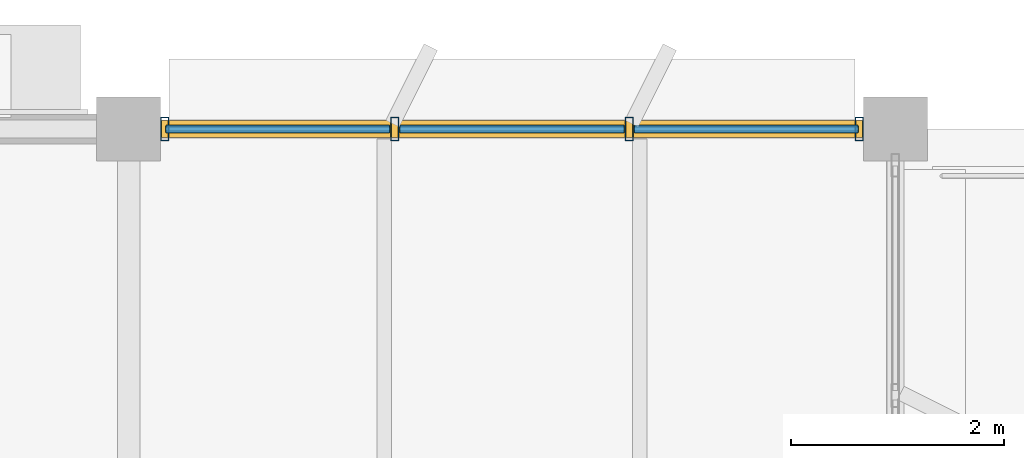
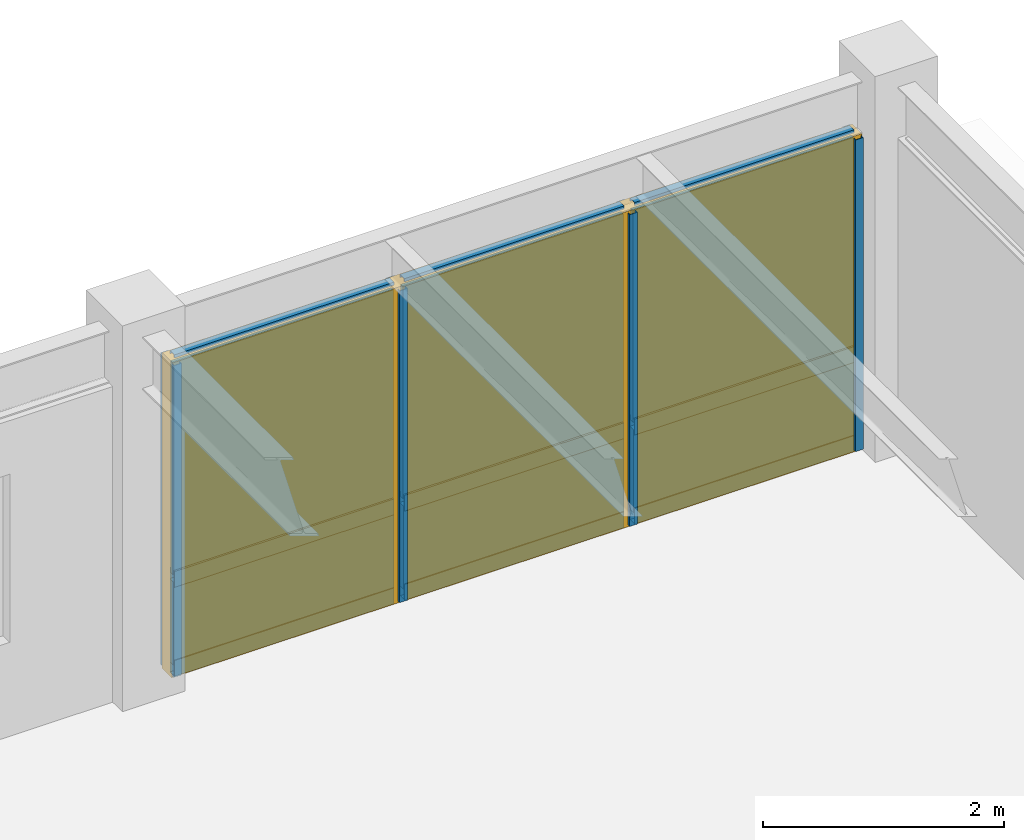
# One storey, part 30 of 35: 13 members, 6 plates, 1 curtain wall.
"""IFC4 building model written with IfcOpenShell, lengths in metres."""

import ifcopenshell
import ifcopenshell.guid

model = None  # the IFC model being written
_history = None  # IfcOwnerHistory: only IFC2X3 demands one
_inside = {}  # id of a spatial element -> (the spatial element, [elements in it])
_under = {}  # id of a project, library or spatial element -> (it, [spatial elements below it])
_declared = {}  # id of a project -> (the project, [libraries it declares])
_typed = {}  # id of a type object -> (the type object, [elements of that type])
_made_of = {}  # id of a material, layer set ... -> (it, [elements and type objects made of it])


def new_model(schema):
    """Start an empty IFC model of exactly this schema.

    Asked for "IFC4X3", IfcOpenShell would pick the latest addendum, in which some entities
    have other attributes; the version numbers below select the first issue.
    IFC2X3 requires an IfcOwnerHistory on every rooted entity: one is made here for all.
    """
    global model, _history
    if schema == "IFC4X3":
        model = ifcopenshell.file(schema_version=(4, 3, 0, 0))
    else:
        model = ifcopenshell.file(schema=schema)
    _inside.clear()
    _under.clear()
    _declared.clear()
    _typed.clear()
    _made_of.clear()
    _history = None
    if model.schema == "IFC2X3":
        org = make("IfcOrganization", Name="unknown")
        user = make(
            "IfcPersonAndOrganization",
            ThePerson=make("IfcPerson", FamilyName="unknown"),
            TheOrganization=org,
        )
        app = make(
            "IfcApplication",
            ApplicationDeveloper=org,
            Version="unknown",
            ApplicationFullName="unknown",
            ApplicationIdentifier="unknown",
        )
        _history = make(
            "IfcOwnerHistory",
            OwningUser=user,
            OwningApplication=app,
            ChangeAction="ADDED",
            CreationDate=0,
        )
    return model


def make(cls, **values):
    """One entity of the class cls with the attributes given. An attribute that is None is left unset."""
    return model.create_entity(
        cls, **{name: value for name, value in values.items() if value is not None}
    )


def rooted(cls, **values):
    """An entity with a GlobalId (a new one), such as an element, a storey or a relation."""
    return make(cls, GlobalId=ifcopenshell.guid.new(), OwnerHistory=_history, **values)


def si_unit(unit_type, name, prefix=None):
    """IfcSIUnit, for example si_unit("LENGTHUNIT", "METRE", prefix="MILLI")."""
    return make("IfcSIUnit", UnitType=unit_type, Prefix=prefix, Name=name)


def assignment(units):
    """IfcUnitAssignment: the units of a project."""
    return None if units is None else make("IfcUnitAssignment", Units=units)


def point(xyz):
    """IfcCartesianPoint."""
    return None if xyz is None else make("IfcCartesianPoint", Coordinates=xyz)


def direction(xyz):
    """IfcDirection."""
    return None if xyz is None else make("IfcDirection", DirectionRatios=xyz)


def frame(location, z_axis=None, x_axis=None):
    """IfcAxis2Placement3D, a coordinate frame: its origin and axes. An axis left out is left unset."""
    return make(
        "IfcAxis2Placement3D",
        Location=point(location),
        Axis=direction(z_axis),
        RefDirection=direction(x_axis),
    )


def frame_2d(location, x_axis=None):
    """IfcAxis2Placement2D, a coordinate frame in the plane: its origin and x axis."""
    return make(
        "IfcAxis2Placement2D", Location=point(location), RefDirection=direction(x_axis)
    )


def origin():
    """The frame at (0, 0, 0) with its axes left unset."""
    return frame((0.0, 0.0, 0.0))


def origin_2d():
    """The frame at (0, 0) in the plane with its x axis left unset."""
    return frame_2d((0.0, 0.0))


def place(relative_to, where):
    """IfcLocalPlacement: puts the frame where relative to a parent placement (None: the world)."""
    return make(
        "IfcLocalPlacement", PlacementRelTo=relative_to, RelativePlacement=where
    )


def context(
    kind, dimensions, precision=None, world=None, true_north=None, identifier=None
):
    """IfcGeometricRepresentationContext, for example the 3D "Model" context."""
    return make(
        "IfcGeometricRepresentationContext",
        ContextIdentifier=identifier,
        ContextType=kind,
        CoordinateSpaceDimension=dimensions,
        Precision=precision,
        WorldCoordinateSystem=world,
        TrueNorth=true_north,
    )


def subcontext(parent, identifier, kind, view, scale=None):
    """IfcGeometricRepresentationSubContext, for example "Body" below "Model"."""
    return make(
        "IfcGeometricRepresentationSubContext",
        ContextIdentifier=identifier,
        ContextType=kind,
        ParentContext=parent,
        TargetScale=scale,
        TargetView=view,
    )


def project(units=None, contexts=None):
    """IfcProject with its units and contexts."""
    return rooted(
        "IfcProject",
        Name="project",
        RepresentationContexts=contexts,
        UnitsInContext=assignment(units),
    )


def spatial(cls, under=None, at=None, **own):
    """A site, building, storey or space (cls), placed at a placement, below another one or the project."""
    s = rooted(cls, ObjectPlacement=at, **own)
    if under is not None:
        _under.setdefault(under.id(), (under, []))[1].append(s)
    return s


def profile(cls, at=None, kind="AREA", **sizes):
    """A parametric profile (cls). Its sizes go by their IFC names, for example OverallWidth=200.0."""
    return make(cls, ProfileType=kind, Position=at, **sizes)


def rectangle(**sizes):
    """IfcRectangleProfileDef."""
    return profile("IfcRectangleProfileDef", **sizes)


def hollow_rectangle(**sizes):
    """IfcRectangleHollowProfileDef."""
    return profile("IfcRectangleHollowProfileDef", **sizes)


def extrude(swept, where, along, depth):
    """IfcExtrudedAreaSolid: the profile swept, set in the frame where, extruded along a direction by depth."""
    return make(
        "IfcExtrudedAreaSolid",
        SweptArea=swept,
        Position=where,
        ExtrudedDirection=direction(along),
        Depth=depth,
    )


def shape(context_of_items, identifier, shape_type, items):
    """IfcShapeRepresentation: the items that make up one representation, for example the "Body"."""
    return make(
        "IfcShapeRepresentation",
        ContextOfItems=context_of_items,
        RepresentationIdentifier=identifier,
        RepresentationType=shape_type,
        Items=items,
    )


def material(Name=None, Category=None):
    """IfcMaterial."""
    return make("IfcMaterial", Name=Name, Category=Category)


def layer(
    of_material, thickness, ventilated=None, Name=None, Category=None, Priority=None
):
    """IfcMaterialLayer: one layer of a wall or slab, of a material (None: an air gap)."""
    return make(
        "IfcMaterialLayer",
        Material=of_material,
        LayerThickness=thickness,
        IsVentilated=ventilated,
        Name=Name,
        Category=Category,
        Priority=Priority,
    )


def layer_set(layers, Name=None):
    """IfcMaterialLayerSet."""
    return make("IfcMaterialLayerSet", MaterialLayers=layers, LayerSetName=Name)


def material_profile(
    of_material, cross_section, Name=None, Category=None, Priority=None
):
    """IfcMaterialProfile: a cross section and its material."""
    return make(
        "IfcMaterialProfile",
        Name=Name,
        Material=of_material,
        Profile=cross_section,
        Priority=Priority,
        Category=Category,
    )


def profile_set(profiles, Name=None, composite=None):
    """IfcMaterialProfileSet."""
    return make(
        "IfcMaterialProfileSet",
        Name=Name,
        MaterialProfiles=profiles,
        CompositeProfile=composite,
    )


def made_of(thing, what):
    """Note that an element or type object is made of a material, layer set ...; save() writes the relation."""
    if what is not None:
        _made_of.setdefault(what.id(), (what, []))[1].append(thing)
    return thing


def type_object(cls, material=None, **own):
    """A type object (cls), such as IfcWallType, which elements share."""
    return made_of(rooted(cls, **own), material)


def element(
    cls,
    number,
    at=None,
    inside=None,
    cuts=None,
    type_object=None,
    material=None,
    context=None,
    identifier="Body",
    shape_type=None,
    held_by="IfcProductDefinitionShape",
    body=None,
    shapes=None,
    **own,
):
    """One element of the class cls, such as IfcWall. Its Tag is "e" and its number.

    at: its placement. inside: the storey or other place that contains it. cuts: it is an
    opening in that element (IfcRelVoidsElement). A single representation is given by context,
    identifier, shape_type and body (its items); several are given by shapes. held_by: the class
    of the entity that holds the representations. save() writes the other relations.
    """
    e = rooted(cls, Tag="e%d" % number, ObjectPlacement=at, **own)
    if body is not None:
        shapes = [shape(context, identifier, shape_type, body)]
    if shapes is not None:
        e.Representation = make(held_by, Representations=shapes)
    if inside is not None:
        _inside.setdefault(inside.id(), (inside, []))[1].append(e)
    if cuts is not None:
        rooted(
            "IfcRelVoidsElement", RelatingBuildingElement=cuts, RelatedOpeningElement=e
        )
    if type_object is not None:
        _typed.setdefault(type_object.id(), (type_object, []))[1].append(e)
    return made_of(e, material)


def aggregate(whole, parts):
    """IfcRelAggregates: a whole, such as a stair, and the parts it consists of."""
    return rooted("IfcRelAggregates", RelatingObject=whole, RelatedObjects=parts)


def save(model, path):
    """Write the relations noted so far, then the file.

    IfcRelAggregates (storeys below a building ...), IfcRelContainedInSpatialStructure (elements
    in a storey), IfcRelDefinesByType, IfcRelAssociatesMaterial and IfcRelDeclares: one each for
    every whole, place, type object, material and project.
    """
    for whole, parts in _under.values():
        aggregate(whole, parts)
    for where, things in _inside.values():
        rooted(
            "IfcRelContainedInSpatialStructure",
            RelatedElements=things,
            RelatingStructure=where,
        )
    for kind, things in _typed.values():
        rooted("IfcRelDefinesByType", RelatedObjects=things, RelatingType=kind)
    for what, things in _made_of.values():
        rooted("IfcRelAssociatesMaterial", RelatedObjects=things, RelatingMaterial=what)
    for by, libraries in _declared.values():
        rooted("IfcRelDeclares", RelatingContext=by, RelatedDefinitions=libraries)
    model.write(path)


model = new_model("IFC4")

# Units and contexts
model_context = context("Model", 3, precision=1e-05, world=origin(), true_north=direction((0.0, 1.0)))
body_context = subcontext(model_context, "Body", "Model", "MODEL_VIEW")
ifc_project = project(units=[si_unit("LENGTHUNIT", "METRE"), si_unit("AREAUNIT", "SQUARE_METRE"), si_unit("VOLUMEUNIT", "CUBIC_METRE"), si_unit("PLANEANGLEUNIT", "RADIAN"), si_unit("MASSUNIT", "GRAM", prefix="KILO")], contexts=[model_context])

# Member
ifc_material_1 = material(Name="Anodized Aluminium 6063-T6", Category="aluminium")
ifc_material_profile_1 = material_profile(ifc_material_1, hollow_rectangle(XDim=0.074951171875, YDim=0.219970703125, WallThickness=0.0048828125, at=origin_2d()), Name="ALU 75x220x5")
ifc_profile_set_1 = profile_set([ifc_material_profile_1], Name="Anodized Aluminium 6063-T6")
member_type_1 = type_object("IfcMemberType", Name="CWM-75X180", PredefinedType="MULLION", material=ifc_profile_set_1)
site_placement = place(None, origin())
building_placement = place(site_placement, origin())
storey_placement = place(building_placement, frame((0.0, 0.0, 18.0)))
member_1_placement = place(storey_placement, frame((93.93994140625, 115.199951171875, 0.02001953125), z_axis=(0.0, 0.0, 1.0), x_axis=(1.0, 0.0, 0.0)))
member_1 = element("IfcMember", 1, at=member_1_placement, type_object=member_type_1, Name="Curtain wall mullion CW-L05-13-15-N-00", PredefinedType="MULLION", context=body_context, shape_type="SweptSolid", body=[
    extrude(hollow_rectangle(XDim=0.074951171875, YDim=0.219970703125, WallThickness=0.0048828125, at=origin_2d()), origin(), (0.0, 0.0, 1.0), 3.152099609375),
])

member_2_placement = place(storey_placement, frame((96.10009765625, 115.199951171875, 0.02001953125), z_axis=(0.0, 0.0, 1.0), x_axis=(1.0, 0.0, 0.0)))
member_2 = element("IfcMember", 2, at=member_2_placement, type_object=member_type_1, Name="Curtain wall mullion CW-L05-13-15-N-01", PredefinedType="MULLION", context=body_context, shape_type="SweptSolid", body=[
    extrude(hollow_rectangle(XDim=0.074951171875, YDim=0.219970703125, WallThickness=0.0048828125, at=origin_2d()), origin(), (0.0, 0.0, 1.0), 3.152099609375),
])

member_3_placement = place(storey_placement, frame((98.300048828125, 115.199951171875, 0.02001953125), z_axis=(0.0, 0.0, 1.0), x_axis=(1.0, 0.0, 0.0)))
member_3 = element("IfcMember", 3, at=member_3_placement, type_object=member_type_1, Name="Curtain wall mullion CW-L05-13-15-N-02", PredefinedType="MULLION", context=body_context, shape_type="SweptSolid", body=[
    extrude(hollow_rectangle(XDim=0.074951171875, YDim=0.219970703125, WallThickness=0.0048828125, at=origin_2d()), origin(), (0.0, 0.0, 1.0), 3.152099609375),
])

member_4_placement = place(storey_placement, frame((100.4599609375, 115.199951171875, 0.02001953125), z_axis=(0.0, 0.0, 1.0), x_axis=(1.0, 0.0, 0.0)))
member_4 = element("IfcMember", 4, at=member_4_placement, type_object=member_type_1, Name="Curtain wall mullion CW-L05-13-15-N-03", PredefinedType="MULLION", context=body_context, shape_type="SweptSolid", body=[
    extrude(hollow_rectangle(XDim=0.074951171875, YDim=0.219970703125, WallThickness=0.0048828125, at=origin_2d()), origin(), (0.0, 0.0, 1.0), 3.152099609375),
])

ifc_material_profile_2 = material_profile(ifc_material_1, hollow_rectangle(XDim=0.074951171875, YDim=0.159912109375, WallThickness=0.00390625, at=origin_2d()), Name="ALU 75x160x4")
ifc_profile_set_2 = profile_set([ifc_material_profile_2], Name="Anodized Aluminium 6063-T6")
member_type_2 = type_object("IfcMemberType", Name="CWT-75X150", PredefinedType="USERDEFINED", material=ifc_profile_set_2)
member_5_placement = place(storey_placement, frame((93.949951171875, 115.199951171875, 0.050048828125), z_axis=(1.0, 0.0, 0.0), x_axis=(0.0, 1.0, 0.0)))
member_5 = element("IfcMember", 5, at=member_5_placement, type_object=member_type_2, Name="Curtain wall transom CW-L05-13-15-N-1.01", ObjectType="TRANSOM", PredefinedType="USERDEFINED", context=body_context, shape_type="SweptSolid", body=[
    extrude(hollow_rectangle(XDim=0.074951171875, YDim=0.159912109375, WallThickness=0.00390625, at=origin_2d()), origin(), (0.0, 0.0, 1.0), 2.10009765625),
])

member_6_placement = place(storey_placement, frame((96.14990234375, 115.199951171875, 0.050048828125), z_axis=(1.0, 0.0, 0.0), x_axis=(0.0, 1.0, 0.0)))
member_6 = element("IfcMember", 6, at=member_6_placement, type_object=member_type_2, Name="Curtain wall transom CW-L05-13-15-N-1.02", ObjectType="TRANSOM", PredefinedType="USERDEFINED", context=body_context, shape_type="SweptSolid", body=[
    extrude(hollow_rectangle(XDim=0.074951171875, YDim=0.159912109375, WallThickness=0.00390625, at=origin_2d()), origin(), (0.0, 0.0, 1.0), 2.10009765625),
])

member_7_placement = place(storey_placement, frame((98.35009765625, 115.199951171875, 0.050048828125), z_axis=(1.0, 0.0, 0.0), x_axis=(0.0, 1.0, 0.0)))
member_7 = element("IfcMember", 7, at=member_7_placement, type_object=member_type_2, Name="Curtain wall transom CW-L05-13-15-N-1.03", ObjectType="TRANSOM", PredefinedType="USERDEFINED", context=body_context, shape_type="SweptSolid", body=[
    extrude(hollow_rectangle(XDim=0.074951171875, YDim=0.159912109375, WallThickness=0.00390625, at=origin_2d()), origin(), (0.0, 0.0, 1.0), 2.099853515625),
])

member_8_placement = place(storey_placement, frame((93.949951171875, 115.199951171875, 0.949951171875), z_axis=(1.0, 0.0, 0.0), x_axis=(0.0, 1.0, 0.0)))
member_8 = element("IfcMember", 8, at=member_8_placement, type_object=member_type_2, Name="Curtain wall transom CW-L05-13-15-N-2.01", ObjectType="TRANSOM", PredefinedType="USERDEFINED", context=body_context, shape_type="SweptSolid", body=[
    extrude(hollow_rectangle(XDim=0.074951171875, YDim=0.159912109375, WallThickness=0.00390625, at=origin_2d()), origin(), (0.0, 0.0, 1.0), 2.10009765625),
])

member_9_placement = place(storey_placement, frame((96.14990234375, 115.199951171875, 0.949951171875), z_axis=(1.0, 0.0, 0.0), x_axis=(0.0, 1.0, 0.0)))
member_9 = element("IfcMember", 9, at=member_9_placement, type_object=member_type_2, Name="Curtain wall transom CW-L05-13-15-N-2.02", ObjectType="TRANSOM", PredefinedType="USERDEFINED", context=body_context, shape_type="SweptSolid", body=[
    extrude(hollow_rectangle(XDim=0.074951171875, YDim=0.159912109375, WallThickness=0.00390625, at=origin_2d()), origin(), (0.0, 0.0, 1.0), 2.10009765625),
])

member_10_placement = place(storey_placement, frame((98.35009765625, 115.199951171875, 0.949951171875), z_axis=(1.0, 0.0, 0.0), x_axis=(0.0, 1.0, 0.0)))
member_10 = element("IfcMember", 10, at=member_10_placement, type_object=member_type_2, Name="Curtain wall transom CW-L05-13-15-N-2.03", ObjectType="TRANSOM", PredefinedType="USERDEFINED", context=body_context, shape_type="SweptSolid", body=[
    extrude(hollow_rectangle(XDim=0.074951171875, YDim=0.159912109375, WallThickness=0.00390625, at=origin_2d()), origin(), (0.0, 0.0, 1.0), 2.099853515625),
])

member_11_placement = place(storey_placement, frame((93.949951171875, 115.199951171875, 3.14208984375), z_axis=(1.0, 0.0, 0.0), x_axis=(0.0, 1.0, 0.0)))
member_11 = element("IfcMember", 11, at=member_11_placement, type_object=member_type_2, Name="Curtain wall transom CW-L05-13-15-N-3.01", ObjectType="TRANSOM", PredefinedType="USERDEFINED", context=body_context, shape_type="SweptSolid", body=[
    extrude(hollow_rectangle(XDim=0.074951171875, YDim=0.159912109375, WallThickness=0.00390625, at=origin_2d()), origin(), (0.0, 0.0, 1.0), 2.10009765625),
])

member_12_placement = place(storey_placement, frame((96.14990234375, 115.199951171875, 3.14208984375), z_axis=(1.0, 0.0, 0.0), x_axis=(0.0, 1.0, 0.0)))
member_12 = element("IfcMember", 12, at=member_12_placement, type_object=member_type_2, Name="Curtain wall transom CW-L05-13-15-N-3.02", ObjectType="TRANSOM", PredefinedType="USERDEFINED", context=body_context, shape_type="SweptSolid", body=[
    extrude(hollow_rectangle(XDim=0.074951171875, YDim=0.159912109375, WallThickness=0.00390625, at=origin_2d()), origin(), (0.0, 0.0, 1.0), 2.10009765625),
])

member_13_placement = place(storey_placement, frame((98.35009765625, 115.199951171875, 3.14208984375), z_axis=(1.0, 0.0, 0.0), x_axis=(0.0, 1.0, 0.0)))
member_13 = element("IfcMember", 13, at=member_13_placement, type_object=member_type_2, Name="Curtain wall transom CW-L05-13-15-N-3.03", ObjectType="TRANSOM", PredefinedType="USERDEFINED", context=body_context, shape_type="SweptSolid", body=[
    extrude(hollow_rectangle(XDim=0.074951171875, YDim=0.159912109375, WallThickness=0.00390625, at=origin_2d()), origin(), (0.0, 0.0, 1.0), 2.099853515625),
])

# Plate
ifc_material_2 = material(Name="Acoustic Laminated Low-E Glazing", Category="glass")
ifc_layer_1 = layer(ifc_material_2, 0.0439453125)
ifc_layer_set_1 = layer_set([ifc_layer_1], Name="Acoustic Laminated Low-E Glazing")
plate_type_1 = type_object("IfcPlateType", Name="CWP-IGU-44", PredefinedType="CURTAIN_PANEL", material=ifc_layer_set_1)
plate_1_placement = place(storey_placement, frame((95.0, 115.199951171875, 0.989990234375), z_axis=(0.0, 0.0, 1.0), x_axis=(1.0, 0.0, 0.0)))
plate_1 = element("IfcPlate", 14, at=plate_1_placement, type_object=plate_type_1, Name="Curtain wall vision glazing CW-L05-13-15-N-01", PredefinedType="CURTAIN_PANEL", context=body_context, shape_type="SweptSolid", body=[
    extrude(rectangle(XDim=2.110107421875, YDim=0.0400390625, at=origin_2d()), origin(), (0.0, 0.0, 1.0), 2.14208984375),
])

plate_2_placement = place(storey_placement, frame((97.199951171875, 115.199951171875, 0.989990234375), z_axis=(0.0, 0.0, 1.0), x_axis=(1.0, 0.0, 0.0)))
plate_2 = element("IfcPlate", 15, at=plate_2_placement, type_object=plate_type_1, Name="Curtain wall vision glazing CW-L05-13-15-N-02", PredefinedType="CURTAIN_PANEL", context=body_context, shape_type="SweptSolid", body=[
    extrude(rectangle(XDim=2.110107421875, YDim=0.0400390625, at=origin_2d()), origin(), (0.0, 0.0, 1.0), 2.14208984375),
])

plate_3_placement = place(storey_placement, frame((99.39990234375, 115.199951171875, 0.989990234375), z_axis=(0.0, 0.0, 1.0), x_axis=(1.0, 0.0, 0.0)))
plate_3 = element("IfcPlate", 16, at=plate_3_placement, type_object=plate_type_1, Name="Curtain wall vision glazing CW-L05-13-15-N-03", PredefinedType="CURTAIN_PANEL", context=body_context, shape_type="SweptSolid", body=[
    extrude(rectangle(XDim=2.110107421875, YDim=0.0400390625, at=origin_2d()), origin(), (0.0, 0.0, 1.0), 2.14208984375),
])

ifc_material_3 = material(Name="Insulated Stone-Composite Spandrel", Category="masonry")
ifc_layer_2 = layer(ifc_material_3, 0.068115234375)
ifc_layer_set_2 = layer_set([ifc_layer_2], Name="Insulated Stone-Composite Spandrel")
plate_type_2 = type_object("IfcPlateType", Name="CWP-SPN-68", PredefinedType="CURTAIN_PANEL", material=ifc_layer_set_2)
plate_4_placement = place(storey_placement, frame((95.0, 115.199951171875, 0.080078125), z_axis=(0.0, 0.0, 1.0), x_axis=(1.0, 0.0, 0.0)))
plate_4 = element("IfcPlate", 17, at=plate_4_placement, type_object=plate_type_2, Name="Curtain wall spandrel panel CW-L05-13-15-N-01", PredefinedType="CURTAIN_PANEL", context=body_context, shape_type="SweptSolid", body=[
    extrude(rectangle(XDim=2.110107421875, YDim=0.06005859375, at=origin_2d()), origin(), (0.0, 0.0, 1.0), 0.840087890625),
])

plate_5_placement = place(storey_placement, frame((97.199951171875, 115.199951171875, 0.080078125), z_axis=(0.0, 0.0, 1.0), x_axis=(1.0, 0.0, 0.0)))
plate_5 = element("IfcPlate", 18, at=plate_5_placement, type_object=plate_type_2, Name="Curtain wall spandrel panel CW-L05-13-15-N-02", PredefinedType="CURTAIN_PANEL", context=body_context, shape_type="SweptSolid", body=[
    extrude(rectangle(XDim=2.110107421875, YDim=0.06005859375, at=origin_2d()), origin(), (0.0, 0.0, 1.0), 0.840087890625),
])

plate_6_placement = place(storey_placement, frame((99.39990234375, 115.199951171875, 0.080078125), z_axis=(0.0, 0.0, 1.0), x_axis=(1.0, 0.0, 0.0)))
plate_6 = element("IfcPlate", 19, at=plate_6_placement, type_object=plate_type_2, Name="Curtain wall spandrel panel CW-L05-13-15-N-03", PredefinedType="CURTAIN_PANEL", context=body_context, shape_type="SweptSolid", body=[
    extrude(rectangle(XDim=2.110107421875, YDim=0.06005859375, at=origin_2d()), origin(), (0.0, 0.0, 1.0), 0.840087890625),
])

# Site, building, storey
site = spatial("IfcSite", under=ifc_project, at=site_placement, CompositionType="ELEMENT")
building = spatial("IfcBuilding", under=site, at=building_placement, Name="Sillqori Civic Hall", CompositionType="ELEMENT")
storey = spatial("IfcBuildingStorey", under=building, at=storey_placement, Name="L05", CompositionType="ELEMENT", Elevation=18.0)

# Curtain wall
ifc_material_4 = material(Name="Anodized Aluminium Curtain Wall System", Category="aluminium")
curtain_wall_type = type_object("IfcCurtainWallType", Name="CW-AD-370", PredefinedType="NOTDEFINED", material=ifc_material_4)
curtain_wall_placement = place(storey_placement, frame((97.199951171875, 115.199951171875, 0.0), z_axis=(0.0, 0.0, 1.0), x_axis=(1.0, 0.0, 0.0)))
curtain_wall = element("IfcCurtainWall", 20, at=curtain_wall_placement, inside=storey, type_object=curtain_wall_type, Name="L05 unitised curtain wall CW-L05-13-15-N", PredefinedType="NOTDEFINED", context=body_context, shape_type="SweptSolid", body=[
    extrude(rectangle(XDim=6.60009765625, YDim=0.159912109375, at=origin_2d()), origin(), (0.0, 0.0, 1.0), 3.19189453125),
])

aggregate(curtain_wall, [member_1, member_2, member_3, member_4, member_5, member_6, member_7, member_8, member_9, member_10, member_11, member_12, member_13, plate_4, plate_1, plate_5, plate_2, plate_6, plate_3])

save(model, "model.ifc")
